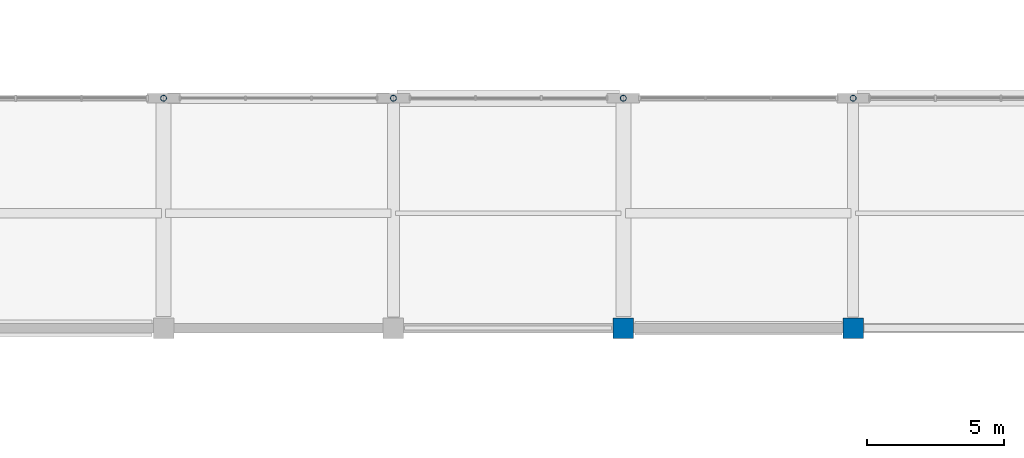
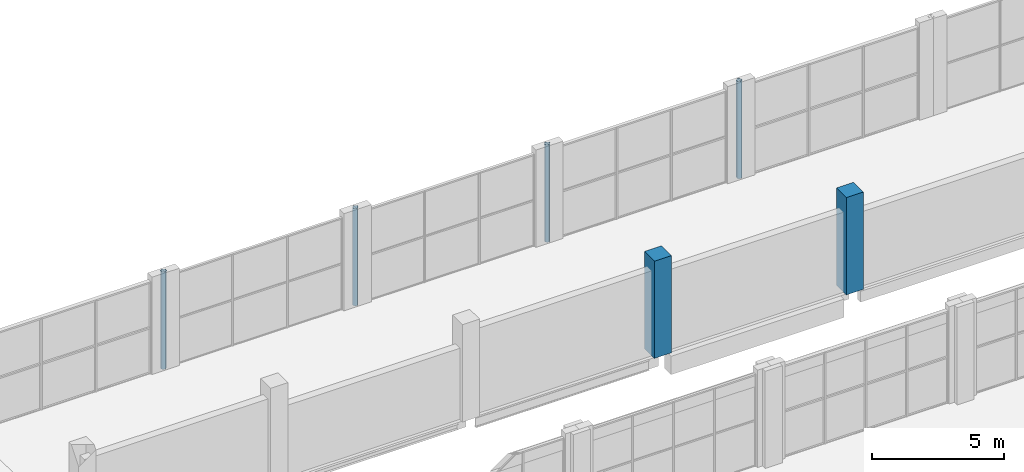
# One storey, part 6 of 75: 6 columns.
"""IFC4 building model written with IfcOpenShell, lengths in metres."""

from ifc_helpers import new_model, si_unit, derived_unit, direction, frame, origin, origin_2d, place, context, subcontext, project, spatial, rectangle, hollow_circle, extrude, material, material_profile, profile_set, type_object, element, save


model = new_model("IFC4")

# Units and contexts
model_context = context("Model", 3, precision=1e-05, world=origin(), true_north=direction((0.0, 1.0)))
body_context = subcontext(model_context, "Body", "Model", "MODEL_VIEW")
ifc_project = project(units=[si_unit("LENGTHUNIT", "METRE"), si_unit("AREAUNIT", "SQUARE_METRE"), si_unit("VOLUMEUNIT", "CUBIC_METRE"), si_unit("PLANEANGLEUNIT", "RADIAN"), si_unit("MASSUNIT", "GRAM", prefix="KILO"), derived_unit("THERMALTRANSMITTANCEUNIT", [(si_unit("POWERUNIT", "WATT"), 1), (si_unit("LENGTHUNIT", "METRE"), -2), (si_unit("THERMODYNAMICTEMPERATUREUNIT", "KELVIN"), -1)])], contexts=[model_context])

# Site, building, storey
site_placement = place(None, origin())
site = spatial("IfcSite", under=ifc_project, at=site_placement, CompositionType="ELEMENT")
building_placement = place(site_placement, origin())
building = spatial("IfcBuilding", under=site, at=building_placement, Name="Barrovel Congress Hotel", CompositionType="ELEMENT")
storey_placement = place(building_placement, frame((0.0, 0.0, 5.39990234375)))
storey = spatial("IfcBuildingStorey", under=building, at=storey_placement, Name="L01", CompositionType="ELEMENT", Elevation=5.39990234375)

# Columns
ifc_material_1 = material(Name="Concrete C40", Category="concrete")
ifc_material_profile_1 = material_profile(ifc_material_1, rectangle(XDim=0.75, YDim=0.75, at=origin_2d()), Name="RC750x750")
ifc_profile_set_1 = profile_set([ifc_material_profile_1], Name="Concrete C40")
column_type_1 = type_object("IfcColumnType", Name="COL-RC750x750", PredefinedType="COLUMN", material=ifc_profile_set_1)
for number, where, z_axis, x_axis, name in (
    (1, (84.0, 37.800048828125, 0.0), (0.0, 0.0, 1.0), (1.0, 0.0, 0.0), "COL:L01:84.0:37.8"),
    (2, (92.39990234375, 37.800048828125, 0.0), (0.0, 0.0, 1.0), (1.0, 0.0, 0.0), "COL:L01:92.4:37.8"),
):
    element("IfcColumn", number, at=place(storey_placement, frame(where, z_axis=z_axis, x_axis=x_axis)), inside=storey, type_object=column_type_1, Name=name, PredefinedType="COLUMN", context=body_context, shape_type="SweptSolid", body=[
        extrude(rectangle(XDim=0.75, YDim=0.75, at=origin_2d()), origin(), (0.0, 0.0, 1.0), 4.5),
    ])
ifc_material_2 = material(Name="Steel ASTM A500 Grade C", Category="steel")
ifc_material_profile_2 = material_profile(ifc_material_2, hollow_circle(Radius=0.109619140625, WallThickness=0.0087890625, at=origin_2d()), Name="CHS219.1x9.5")
ifc_profile_set_2 = profile_set([ifc_material_profile_2], Name="Steel ASTM A500 Grade C")
column_type_2 = type_object("IfcColumnType", Name="SCOL-CHS219.1x9.5", PredefinedType="COLUMN", material=ifc_profile_set_2)
for number, where, z_axis, x_axis, name in (
    (3, (67.199951171875, 46.199951171875, 0.0), (0.0, 0.0, 1.0), (1.0, 0.0, 0.0), "COL:L01:67.2:46.2"),
    (4, (75.60009765625, 46.199951171875, 0.0), (0.0, 0.0, 1.0), (1.0, 0.0, 0.0), "COL:L01:75.6:46.2"),
    (5, (84.0, 46.199951171875, 0.0), (0.0, 0.0, 1.0), (1.0, 0.0, 0.0), "COL:L01:84.0:46.2"),
    (6, (92.39990234375, 46.199951171875, 0.0), (0.0, 0.0, 1.0), (1.0, 0.0, 0.0), "COL:L01:92.4:46.2"),
):
    element("IfcColumn", number, at=place(storey_placement, frame(where, z_axis=z_axis, x_axis=x_axis)), inside=storey, type_object=column_type_2, Name=name, PredefinedType="COLUMN", context=body_context, shape_type="SweptSolid", body=[
        extrude(hollow_circle(Radius=0.109619140625, WallThickness=0.0087890625, at=origin_2d()), origin(), (0.0, 0.0, 1.0), 4.5),
    ])

save(model, "model.ifc")
